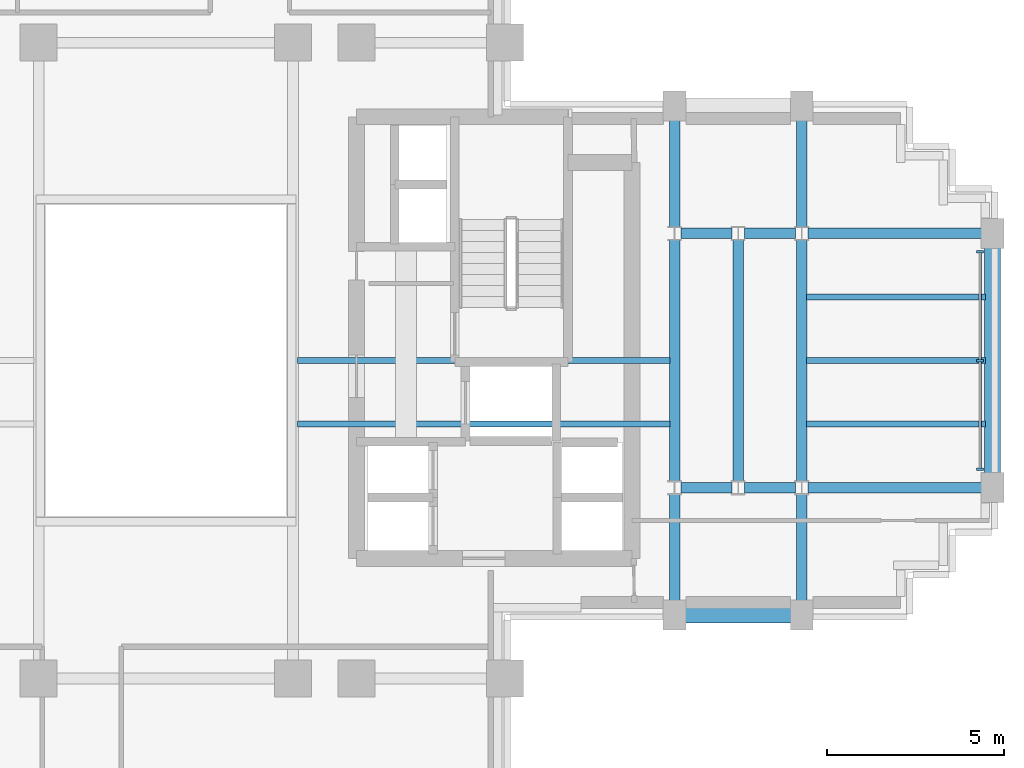
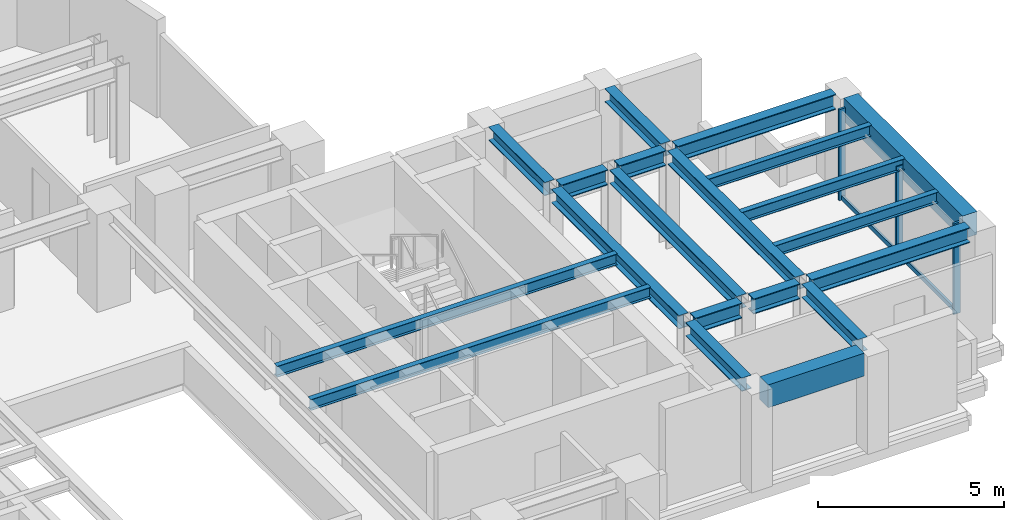
# One storey, part 5 of 13: 20 beams, 5 members, 1 element without a shape of its own.
"""IFC4 building model written with IfcOpenShell, lengths in metres."""

import ifcopenshell
import ifcopenshell.guid

model = None  # the IFC model being written
_history = None  # IfcOwnerHistory: only IFC2X3 demands one
_inside = {}  # id of a spatial element -> (the spatial element, [elements in it])
_under = {}  # id of a project, library or spatial element -> (it, [spatial elements below it])
_declared = {}  # id of a project -> (the project, [libraries it declares])
_typed = {}  # id of a type object -> (the type object, [elements of that type])
_made_of = {}  # id of a material, layer set ... -> (it, [elements and type objects made of it])


def new_model(schema):
    """Start an empty IFC model of exactly this schema.

    Asked for "IFC4X3", IfcOpenShell would pick the latest addendum, in which some entities
    have other attributes; the version numbers below select the first issue.
    IFC2X3 requires an IfcOwnerHistory on every rooted entity: one is made here for all.
    """
    global model, _history
    if schema == "IFC4X3":
        model = ifcopenshell.file(schema_version=(4, 3, 0, 0))
    else:
        model = ifcopenshell.file(schema=schema)
    _inside.clear()
    _under.clear()
    _declared.clear()
    _typed.clear()
    _made_of.clear()
    _history = None
    if model.schema == "IFC2X3":
        org = make("IfcOrganization", Name="unknown")
        user = make(
            "IfcPersonAndOrganization",
            ThePerson=make("IfcPerson", FamilyName="unknown"),
            TheOrganization=org,
        )
        app = make(
            "IfcApplication",
            ApplicationDeveloper=org,
            Version="unknown",
            ApplicationFullName="unknown",
            ApplicationIdentifier="unknown",
        )
        _history = make(
            "IfcOwnerHistory",
            OwningUser=user,
            OwningApplication=app,
            ChangeAction="ADDED",
            CreationDate=0,
        )
    return model


def make(cls, **values):
    """One entity of the class cls with the attributes given. An attribute that is None is left unset."""
    return model.create_entity(
        cls, **{name: value for name, value in values.items() if value is not None}
    )


def rooted(cls, **values):
    """An entity with a GlobalId (a new one), such as an element, a storey or a relation."""
    return make(cls, GlobalId=ifcopenshell.guid.new(), OwnerHistory=_history, **values)


def si_unit(unit_type, name, prefix=None):
    """IfcSIUnit, for example si_unit("LENGTHUNIT", "METRE", prefix="MILLI")."""
    return make("IfcSIUnit", UnitType=unit_type, Prefix=prefix, Name=name)


def assignment(units):
    """IfcUnitAssignment: the units of a project."""
    return None if units is None else make("IfcUnitAssignment", Units=units)


def point(xyz):
    """IfcCartesianPoint."""
    return None if xyz is None else make("IfcCartesianPoint", Coordinates=xyz)


def direction(xyz):
    """IfcDirection."""
    return None if xyz is None else make("IfcDirection", DirectionRatios=xyz)


def frame(location, z_axis=None, x_axis=None):
    """IfcAxis2Placement3D, a coordinate frame: its origin and axes. An axis left out is left unset."""
    return make(
        "IfcAxis2Placement3D",
        Location=point(location),
        Axis=direction(z_axis),
        RefDirection=direction(x_axis),
    )


def frame_2d(location, x_axis=None):
    """IfcAxis2Placement2D, a coordinate frame in the plane: its origin and x axis."""
    return make(
        "IfcAxis2Placement2D", Location=point(location), RefDirection=direction(x_axis)
    )


def origin():
    """The frame at (0, 0, 0) with its axes left unset."""
    return frame((0.0, 0.0, 0.0))


def origin_2d():
    """The frame at (0, 0) in the plane with its x axis left unset."""
    return frame_2d((0.0, 0.0))


def place(relative_to, where):
    """IfcLocalPlacement: puts the frame where relative to a parent placement (None: the world)."""
    return make(
        "IfcLocalPlacement", PlacementRelTo=relative_to, RelativePlacement=where
    )


def context(
    kind, dimensions, precision=None, world=None, true_north=None, identifier=None
):
    """IfcGeometricRepresentationContext, for example the 3D "Model" context."""
    return make(
        "IfcGeometricRepresentationContext",
        ContextIdentifier=identifier,
        ContextType=kind,
        CoordinateSpaceDimension=dimensions,
        Precision=precision,
        WorldCoordinateSystem=world,
        TrueNorth=true_north,
    )


def subcontext(parent, identifier, kind, view, scale=None):
    """IfcGeometricRepresentationSubContext, for example "Body" below "Model"."""
    return make(
        "IfcGeometricRepresentationSubContext",
        ContextIdentifier=identifier,
        ContextType=kind,
        ParentContext=parent,
        TargetScale=scale,
        TargetView=view,
    )


def project(units=None, contexts=None):
    """IfcProject with its units and contexts."""
    return rooted(
        "IfcProject",
        Name="project",
        RepresentationContexts=contexts,
        UnitsInContext=assignment(units),
    )


def spatial(cls, under=None, at=None, **own):
    """A site, building, storey or space (cls), placed at a placement, below another one or the project."""
    s = rooted(cls, ObjectPlacement=at, **own)
    if under is not None:
        _under.setdefault(under.id(), (under, []))[1].append(s)
    return s


def profile(cls, at=None, kind="AREA", **sizes):
    """A parametric profile (cls). Its sizes go by their IFC names, for example OverallWidth=200.0."""
    return make(cls, ProfileType=kind, Position=at, **sizes)


def rectangle(**sizes):
    """IfcRectangleProfileDef."""
    return profile("IfcRectangleProfileDef", **sizes)


def i_section(**sizes):
    """IfcIShapeProfileDef."""
    return profile("IfcIShapeProfileDef", **sizes)


def extrude(swept, where, along, depth):
    """IfcExtrudedAreaSolid: the profile swept, set in the frame where, extruded along a direction by depth."""
    return make(
        "IfcExtrudedAreaSolid",
        SweptArea=swept,
        Position=where,
        ExtrudedDirection=direction(along),
        Depth=depth,
    )


def shape(context_of_items, identifier, shape_type, items):
    """IfcShapeRepresentation: the items that make up one representation, for example the "Body"."""
    return make(
        "IfcShapeRepresentation",
        ContextOfItems=context_of_items,
        RepresentationIdentifier=identifier,
        RepresentationType=shape_type,
        Items=items,
    )


def source(mapping_origin, context_of_items, identifier, shape_type, items):
    """IfcRepresentationMap: a shape defined once, which mapped items show again and again."""
    return make(
        "IfcRepresentationMap",
        MappingOrigin=mapping_origin,
        MappedRepresentation=shape(context_of_items, identifier, shape_type, items),
    )


def transform(
    local_origin,
    x_axis=None,
    y_axis=None,
    z_axis=None,
    scale=None,
    scale2=None,
    scale3=None,
    uniform=True,
):
    """IfcCartesianTransformationOperator3D, or its non-uniform kind. x_axis, y_axis, z_axis: its Axis1, 2, 3."""
    if uniform:
        return make(
            "IfcCartesianTransformationOperator3D",
            Axis1=direction(x_axis),
            Axis2=direction(y_axis),
            LocalOrigin=point(local_origin),
            Scale=scale,
            Axis3=direction(z_axis),
        )
    return make(
        "IfcCartesianTransformationOperator3DnonUniform",
        Axis1=direction(x_axis),
        Axis2=direction(y_axis),
        LocalOrigin=point(local_origin),
        Scale=scale,
        Axis3=direction(z_axis),
        Scale2=scale2,
        Scale3=scale3,
    )


def mapped(mapping_source, mapping_target):
    """IfcMappedItem: shows the shape of a source again, moved by a transform."""
    return make(
        "IfcMappedItem", MappingSource=mapping_source, MappingTarget=mapping_target
    )


def material(Name=None, Category=None):
    """IfcMaterial."""
    return make("IfcMaterial", Name=Name, Category=Category)


def material_profile(
    of_material, cross_section, Name=None, Category=None, Priority=None
):
    """IfcMaterialProfile: a cross section and its material."""
    return make(
        "IfcMaterialProfile",
        Name=Name,
        Material=of_material,
        Profile=cross_section,
        Priority=Priority,
        Category=Category,
    )


def profile_set(profiles, Name=None, composite=None):
    """IfcMaterialProfileSet."""
    return make(
        "IfcMaterialProfileSet",
        Name=Name,
        MaterialProfiles=profiles,
        CompositeProfile=composite,
    )


def made_of(thing, what):
    """Note that an element or type object is made of a material, layer set ...; save() writes the relation."""
    if what is not None:
        _made_of.setdefault(what.id(), (what, []))[1].append(thing)
    return thing


def type_object(cls, material=None, **own):
    """A type object (cls), such as IfcWallType, which elements share."""
    return made_of(rooted(cls, **own), material)


def element(
    cls,
    number,
    at=None,
    inside=None,
    cuts=None,
    type_object=None,
    material=None,
    context=None,
    identifier="Body",
    shape_type=None,
    held_by="IfcProductDefinitionShape",
    body=None,
    shapes=None,
    **own,
):
    """One element of the class cls, such as IfcWall. Its Tag is "e" and its number.

    at: its placement. inside: the storey or other place that contains it. cuts: it is an
    opening in that element (IfcRelVoidsElement). A single representation is given by context,
    identifier, shape_type and body (its items); several are given by shapes. held_by: the class
    of the entity that holds the representations. save() writes the other relations.
    """
    e = rooted(cls, Tag="e%d" % number, ObjectPlacement=at, **own)
    if body is not None:
        shapes = [shape(context, identifier, shape_type, body)]
    if shapes is not None:
        e.Representation = make(held_by, Representations=shapes)
    if inside is not None:
        _inside.setdefault(inside.id(), (inside, []))[1].append(e)
    if cuts is not None:
        rooted(
            "IfcRelVoidsElement", RelatingBuildingElement=cuts, RelatedOpeningElement=e
        )
    if type_object is not None:
        _typed.setdefault(type_object.id(), (type_object, []))[1].append(e)
    return made_of(e, material)


def aggregate(whole, parts):
    """IfcRelAggregates: a whole, such as a stair, and the parts it consists of."""
    return rooted("IfcRelAggregates", RelatingObject=whole, RelatedObjects=parts)


def save(model, path):
    """Write the relations noted so far, then the file.

    IfcRelAggregates (storeys below a building ...), IfcRelContainedInSpatialStructure (elements
    in a storey), IfcRelDefinesByType, IfcRelAssociatesMaterial and IfcRelDeclares: one each for
    every whole, place, type object, material and project.
    """
    for whole, parts in _under.values():
        aggregate(whole, parts)
    for where, things in _inside.values():
        rooted(
            "IfcRelContainedInSpatialStructure",
            RelatedElements=things,
            RelatingStructure=where,
        )
    for kind, things in _typed.values():
        rooted("IfcRelDefinesByType", RelatedObjects=things, RelatingType=kind)
    for what, things in _made_of.values():
        rooted("IfcRelAssociatesMaterial", RelatedObjects=things, RelatingMaterial=what)
    for by, libraries in _declared.values():
        rooted("IfcRelDeclares", RelatingContext=by, RelatedDefinitions=libraries)
    model.write(path)


model = new_model("IFC4")

# Units and contexts
model_context = context("Model", 3, precision=1e-05, world=origin(), true_north=direction((0.0, 1.0)))
body_context = subcontext(model_context, "Body", "Model", "MODEL_VIEW")
ifc_project = project(units=[si_unit("LENGTHUNIT", "METRE"), si_unit("AREAUNIT", "SQUARE_METRE"), si_unit("VOLUMEUNIT", "CUBIC_METRE"), si_unit("PLANEANGLEUNIT", "RADIAN"), si_unit("MASSUNIT", "GRAM", prefix="KILO")], contexts=[model_context])

# Site, building, storey
site_placement = place(None, origin())
site = spatial("IfcSite", under=ifc_project, at=site_placement, CompositionType="ELEMENT")
building_placement = place(site_placement, origin())
building = spatial("IfcBuilding", under=site, at=building_placement, Name="Keilestroom Media Tower", CompositionType="ELEMENT")
storey_placement = place(building_placement, frame((0.0, 0.0, 97.199951171875)))
storey = spatial("IfcBuildingStorey", under=building, at=storey_placement, Name="L25", CompositionType="ELEMENT", Elevation=97.199951171875)

# Beams
ifc_material_1 = material(Name="Steel S355", Category="steel")
ifc_material_profile_1 = material_profile(ifc_material_1, i_section(OverallWidth=0.169921875, OverallDepth=0.360107421875, WebThickness=0.008056640625, FlangeThickness=0.0126953125, at=origin_2d()), Name="IPE 360")
ifc_profile_set_1 = profile_set([ifc_material_profile_1], Name="Steel S355")
beam_type_1 = type_object("IfcBeamType", Name="Secondary-Floor-Joist-IPE-360", PredefinedType="JOIST", material=ifc_profile_set_1)
shared_shape_1 = source(origin(), body_context, "Body", "SweptSolid", [
    extrude(i_section(OverallWidth=0.169921875, OverallDepth=0.360107421875, WebThickness=0.008056640625, FlangeThickness=0.0126953125, at=origin_2d()), origin(), (0.0, 0.0, 1.0), 10.5400390625),
])
for number, where, z_axis, x_axis, name in (
    (1, (3.72998046875, -1.800048828125, 3.02001953125), (1.0, 0.0, 0.0), (0.0, 1.0, 0.0), "L25 Beam BJ-5 JST-L25-074"),
    (2, (3.72998046875, 0.0, 3.02001953125), (1.0, 0.0, 0.0), (0.0, 1.0, 0.0), "L25 Beam BJ-5 JST-L25-079"),
):
    element("IfcBeam", number, at=place(storey_placement, frame(where, z_axis=z_axis, x_axis=x_axis)), inside=storey, type_object=beam_type_1, Name=name, PredefinedType="JOIST", context=body_context, shape_type="MappedRepresentation", body=[
        mapped(shared_shape_1, transform((0.0, 0.0, 0.0), x_axis=(1.0, 0.0, 0.0), y_axis=(0.0, 1.0, 0.0), z_axis=(0.0, 0.0, 1.0), scale=1.0)),
    ])
ifc_material_2 = material(Name="Precast concrete C40/50", Category="concrete")
ifc_material_profile_2 = material_profile(ifc_material_2, rectangle(XDim=0.449951171875, YDim=0.75, at=origin_2d()), Name="PC 450x750")
ifc_profile_set_2 = profile_set([ifc_material_profile_2], Name="Precast concrete C40/50")
beam_type_2 = type_object("IfcBeamType", Name="Perimeter-Spandrel-Beam-PC-450x750", PredefinedType="SPANDREL", material=ifc_profile_set_2)
shared_shape_2 = source(origin(), body_context, "Body", "SweptSolid", [
    extrude(rectangle(XDim=0.449951171875, YDim=0.75, at=origin_2d()), origin(), (0.0, 0.0, 1.0), 2.989990234375),
])
beam_1_placement = place(storey_placement, frame((14.705078125, -7.199951171875, 2.824951171875), z_axis=(1.0, 0.0, 0.0), x_axis=(0.0, 1.0, 0.0)))
element("IfcBeam", 3, at=beam_1_placement, inside=storey, type_object=beam_type_2, Name="L25 Beam SPB-1 BM-L25-EW-013", PredefinedType="SPANDREL", context=body_context, shape_type="MappedRepresentation", body=[
    mapped(shared_shape_2, transform((0.0, 0.0, 0.0), x_axis=(1.0, 0.0, 0.0), y_axis=(0.0, 1.0, 0.0), z_axis=(0.0, 0.0, 1.0), scale=1.0)),
])
ifc_material_profile_3 = material_profile(ifc_material_1, i_section(OverallWidth=0.300048828125, OverallDepth=0.5, WebThickness=0.012451171875, FlangeThickness=0.028076171875, at=origin_2d()), Name="HEB 500")
ifc_profile_set_3 = profile_set([ifc_material_profile_3], Name="Steel S355")
beam_type_3 = type_object("IfcBeamType", Name="Primary-Structural-Girder-HEB-500", PredefinedType="BEAM", material=ifc_profile_set_3)
shared_shape_3 = source(origin(), body_context, "Body", "SweptSolid", [
    extrude(i_section(OverallWidth=0.300048828125, OverallDepth=0.5, WebThickness=0.012451171875, FlangeThickness=0.028076171875, at=origin_2d()), origin(), (0.0, 0.0, 1.0), 4.91455078125),
])
for number, where, z_axis, x_axis, name in (
    (4, (18.180419921875, -3.60009765625, 2.949951171875), (1.0, 0.0, 0.0), (0.0, 1.0, 0.0), "L25 Beam BG-6 BM-L25-EW-019"),
    (5, (18.180419921875, 3.60009765625, 2.949951171875), (1.0, 0.0, 0.0), (0.0, 1.0, 0.0), "L25 Beam BG-6 BM-L25-EW-025"),
):
    element("IfcBeam", number, at=place(storey_placement, frame(where, z_axis=z_axis, x_axis=x_axis)), inside=storey, type_object=beam_type_3, Name=name, PredefinedType="BEAM", context=body_context, shape_type="MappedRepresentation", body=[
        mapped(shared_shape_3, transform((0.0, 0.0, 0.0), x_axis=(1.0, 0.0, 0.0), y_axis=(0.0, 1.0, 0.0), z_axis=(0.0, 0.0, 1.0), scale=1.0)),
    ])
shared_shape_4 = source(origin(), body_context, "Body", "SweptSolid", [
    extrude(i_section(OverallWidth=0.300048828125, OverallDepth=0.5, WebThickness=0.012451171875, FlangeThickness=0.028076171875, at=origin_2d()), origin(), (0.0, 0.0, 1.0), 1.43896484375),
])
for number, where, z_axis, x_axis, name in (
    (6, (14.58056640625, -3.60009765625, 2.949951171875), (1.0, 0.0, 0.0), (0.0, 1.0, 0.0), "L25 Beam BG-6 BM-L25-EW-017"),
    (7, (16.380615234375, -3.60009765625, 2.949951171875), (1.0, 0.0, 0.0), (0.0, 1.0, 0.0), "L25 Beam BG-6 BM-L25-EW-018"),
    (8, (14.58056640625, 3.60009765625, 2.949951171875), (1.0, 0.0, 0.0), (0.0, 1.0, 0.0), "L25 Beam BG-6 BM-L25-EW-023"),
    (9, (16.380615234375, 3.60009765625, 2.949951171875), (1.0, 0.0, 0.0), (0.0, 1.0, 0.0), "L25 Beam BG-6 BM-L25-EW-024"),
):
    element("IfcBeam", number, at=place(storey_placement, frame(where, z_axis=z_axis, x_axis=x_axis)), inside=storey, type_object=beam_type_3, Name=name, PredefinedType="BEAM", context=body_context, shape_type="MappedRepresentation", body=[
        mapped(shared_shape_4, transform((0.0, 0.0, 0.0), x_axis=(1.0, 0.0, 0.0), y_axis=(0.0, 1.0, 0.0), z_axis=(0.0, 0.0, 1.0), scale=1.0)),
    ])
shared_shape_5 = source(origin(), body_context, "Body", "SweptSolid", [
    extrude(rectangle(XDim=0.449951171875, YDim=0.75, at=origin_2d()), origin(), (0.0, 0.0, 1.0), 6.39013671875),
])
beam_2_placement = place(storey_placement, frame((23.39990234375, -3.195068359375, 2.824951171875), z_axis=(0.0, 1.0, 0.0), x_axis=(-1.0, 0.0, 0.0)))
element("IfcBeam", 10, at=beam_2_placement, inside=storey, type_object=beam_type_2, Name="L25 Beam SPB-1 BM-L25-NS-068", PredefinedType="SPANDREL", context=body_context, shape_type="MappedRepresentation", body=[
    mapped(shared_shape_5, transform((0.0, 0.0, 0.0), x_axis=(1.0, 0.0, 0.0), y_axis=(0.0, 1.0, 0.0), z_axis=(0.0, 0.0, 1.0), scale=1.0)),
])
shared_shape_6 = source(origin(), body_context, "Body", "SweptSolid", [
    extrude(i_section(OverallWidth=0.169921875, OverallDepth=0.360107421875, WebThickness=0.008056640625, FlangeThickness=0.0126953125, at=origin_2d()), origin(), (0.0, 0.0, 1.0), 5.065185546875),
])
for number, where, z_axis, x_axis, name in (
    (11, (18.1298828125, -1.800048828125, 3.02001953125), (1.0, 0.0, 0.0), (0.0, 1.0, 0.0), "L25 Beam BJ-5 JST-L25-075"),
    (12, (18.1298828125, 0.0, 3.02001953125), (1.0, 0.0, 0.0), (0.0, 1.0, 0.0), "L25 Beam BJ-5 JST-L25-080"),
    (13, (18.1298828125, 1.800048828125, 3.02001953125), (1.0, 0.0, 0.0), (0.0, 1.0, 0.0), "L25 Beam BJ-5 JST-L25-085"),
):
    element("IfcBeam", number, at=place(storey_placement, frame(where, z_axis=z_axis, x_axis=x_axis)), inside=storey, type_object=beam_type_1, Name=name, PredefinedType="JOIST", context=body_context, shape_type="MappedRepresentation", body=[
        mapped(shared_shape_6, transform((0.0, 0.0, 0.0), x_axis=(1.0, 0.0, 0.0), y_axis=(0.0, 1.0, 0.0), z_axis=(0.0, 0.0, 1.0), scale=1.0)),
    ])
ifc_material_profile_4 = material_profile(ifc_material_1, i_section(OverallWidth=0.300048828125, OverallDepth=0.43994140625, WebThickness=0.011474609375, FlangeThickness=0.02099609375, at=origin_2d()), Name="HEA 450")
ifc_profile_set_4 = profile_set([ifc_material_profile_4], Name="Steel S355")
beam_type_4 = type_object("IfcBeamType", Name="Primary-Structural-Girder-HEA-450", PredefinedType="BEAM", material=ifc_profile_set_4)
shared_shape_7 = source(origin(), body_context, "Body", "SweptSolid", [
    extrude(i_section(OverallWidth=0.300048828125, OverallDepth=0.43994140625, WebThickness=0.011474609375, FlangeThickness=0.02099609375, at=origin_2d()), origin(), (0.0, 0.0, 1.0), 3.015380859375),
])
for number, where, z_axis, x_axis, name in (
    (14, (14.39990234375, -6.794921875, 2.97998046875), (0.0, 1.0, 0.0), (-1.0, 0.0, 0.0), "L25 Beam BG-11 BM-L25-NS-061"),
    (15, (14.39990234375, 3.779541015625, 2.97998046875), (0.0, 1.0, 0.0), (-1.0, 0.0, 0.0), "L25 Beam BG-11 BM-L25-NS-063"),
    (16, (18.0, -6.794921875, 2.97998046875), (0.0, 1.0, 0.0), (-1.0, 0.0, 0.0), "L25 Beam BG-11 BM-L25-NS-065"),
    (17, (18.0, 3.779541015625, 2.97998046875), (0.0, 1.0, 0.0), (-1.0, 0.0, 0.0), "L25 Beam BG-11 BM-L25-NS-067"),
):
    element("IfcBeam", number, at=place(storey_placement, frame(where, z_axis=z_axis, x_axis=x_axis)), inside=storey, type_object=beam_type_4, Name=name, PredefinedType="BEAM", context=body_context, shape_type="MappedRepresentation", body=[
        mapped(shared_shape_7, transform((0.0, 0.0, 0.0), x_axis=(1.0, 0.0, 0.0), y_axis=(0.0, 1.0, 0.0), z_axis=(0.0, 0.0, 1.0), scale=1.0)),
    ])
shared_shape_8 = source(origin(), body_context, "Body", "SweptSolid", [
    extrude(i_section(OverallWidth=0.300048828125, OverallDepth=0.43994140625, WebThickness=0.011474609375, FlangeThickness=0.02099609375, at=origin_2d()), origin(), (0.0, 0.0, 1.0), 6.8408203125),
])
for number, where, z_axis, x_axis, name in (
    (18, (14.39990234375, -3.42041015625, 2.97998046875), (0.0, 1.0, 0.0), (-1.0, 0.0, 0.0), "L25 Beam BG-11 BM-L25-NS-062"),
    (19, (16.199951171875, -3.42041015625, 2.97998046875), (0.0, 1.0, 0.0), (-1.0, 0.0, 0.0), "L25 Beam BG-11 BM-L25-NS-064"),
    (20, (18.0, -3.42041015625, 2.97998046875), (0.0, 1.0, 0.0), (-1.0, 0.0, 0.0), "L25 Beam BG-11 BM-L25-NS-066"),
):
    element("IfcBeam", number, at=place(storey_placement, frame(where, z_axis=z_axis, x_axis=x_axis)), inside=storey, type_object=beam_type_4, Name=name, PredefinedType="BEAM", context=body_context, shape_type="MappedRepresentation", body=[
        mapped(shared_shape_8, transform((0.0, 0.0, 0.0), x_axis=(1.0, 0.0, 0.0), y_axis=(0.0, 1.0, 0.0), z_axis=(0.0, 0.0, 1.0), scale=1.0)),
    ])

# Curtain wall, members
ifc_material_3 = material(Name="Anodised Aluminium Alloy", Category="aluminium")
curtain_wall_type = type_object("IfcCurtainWallType", Name="Unitised-Curtain-Wall-CW-2", PredefinedType="NOTDEFINED", material=ifc_material_3)
curtain_wall_placement = place(storey_placement, origin())
curtain_wall = element("IfcCurtainWall", 21, at=curtain_wall_placement, inside=storey, type_object=curtain_wall_type, Name="L25 Curtain Wall CW-2 CW-L25-E-1", PredefinedType="NOTDEFINED")
ifc_material_profile_5 = material_profile(ifc_material_3, rectangle(XDim=0.070068359375, YDim=0.199951171875, at=origin_2d()), Name="ALU MULLION 70x200")
ifc_profile_set_5 = profile_set([ifc_material_profile_5], Name="Anodised Aluminium Alloy")
member_type_1 = type_object("IfcMemberType", Name="Curtain-Wall-Mullion-CW-2", PredefinedType="MULLION", material=ifc_profile_set_5)
shared_shape_9 = source(origin(), body_context, "Body", "SweptSolid", [
    extrude(rectangle(XDim=0.070068359375, YDim=0.199951171875, at=origin_2d()), origin(), (0.0, 0.0, 1.0), 2.97998046875),
])
member_1_placement = place(storey_placement, frame((23.050048828125, -3.080078125, 0.0), z_axis=(0.0, 0.0, 1.0), x_axis=(0.0, 1.0, 0.0)))
member_1 = element("IfcMember", 22, at=member_1_placement, type_object=member_type_1, Name="CW-2 Mullion 00", PredefinedType="MULLION", context=body_context, shape_type="MappedRepresentation", body=[
    mapped(shared_shape_9, transform((0.0, 0.0, 0.0), x_axis=(1.0, 0.0, 0.0), y_axis=(0.0, 1.0, 0.0), z_axis=(0.0, 0.0, 1.0), scale=1.0)),
])
member_2_placement = place(storey_placement, frame((23.050048828125, 0.0, 0.0), z_axis=(0.0, 0.0, 1.0), x_axis=(0.0, 1.0, 0.0)))
member_2 = element("IfcMember", 23, at=member_2_placement, type_object=member_type_1, Name="CW-2 Mullion 01", PredefinedType="MULLION", context=body_context, shape_type="MappedRepresentation", body=[
    mapped(shared_shape_9, transform((0.0, 0.0, 0.0), x_axis=(1.0, 0.0, 0.0), y_axis=(0.0, 1.0, 0.0), z_axis=(0.0, 0.0, 1.0), scale=1.0)),
])
member_3_placement = place(storey_placement, frame((23.050048828125, 3.080078125, 0.0), z_axis=(0.0, 0.0, 1.0), x_axis=(0.0, 1.0, 0.0)))
member_3 = element("IfcMember", 24, at=member_3_placement, type_object=member_type_1, Name="CW-2 Mullion 02", PredefinedType="MULLION", context=body_context, shape_type="MappedRepresentation", body=[
    mapped(shared_shape_9, transform((0.0, 0.0, 0.0), x_axis=(1.0, 0.0, 0.0), y_axis=(0.0, 1.0, 0.0), z_axis=(0.0, 0.0, 1.0), scale=1.0)),
])
ifc_material_profile_6 = material_profile(ifc_material_3, rectangle(XDim=0.06494140625, YDim=0.14990234375, at=origin_2d()), Name="ALU TRANSOM 65x150")
ifc_profile_set_6 = profile_set([ifc_material_profile_6], Name="Anodised Aluminium Alloy")
member_type_2 = type_object("IfcMemberType", Name="Curtain-Wall-Transom-CW-2", PredefinedType="USERDEFINED", material=ifc_profile_set_6)
shared_shape_10 = source(origin(), body_context, "Body", "SweptSolid", [
    extrude(rectangle(XDim=0.06494140625, YDim=0.14990234375, at=origin_2d()), origin(), (0.0, 0.0, 1.0), 3.01416015625),
])
member_4_placement = place(storey_placement, frame((23.050048828125, -3.047119140625, 0.074951171875), z_axis=(0.0, 1.0, 0.0), x_axis=(-1.0, 0.0, 0.0)))
member_4 = element("IfcMember", 25, at=member_4_placement, type_object=member_type_2, Name="CW-2 Transom 00.1", ObjectType="TRANSOM", PredefinedType="USERDEFINED", context=body_context, shape_type="MappedRepresentation", body=[
    mapped(shared_shape_10, transform((0.0, 0.0, 0.0), x_axis=(1.0, 0.0, 0.0), y_axis=(0.0, 1.0, 0.0), z_axis=(0.0, 0.0, 1.0), scale=1.0)),
])
member_5_placement = place(storey_placement, frame((23.050048828125, 0.032958984375, 0.074951171875), z_axis=(0.0, 1.0, 0.0), x_axis=(-1.0, 0.0, 0.0)))
member_5 = element("IfcMember", 26, at=member_5_placement, type_object=member_type_2, Name="CW-2 Transom 01.1", ObjectType="TRANSOM", PredefinedType="USERDEFINED", context=body_context, shape_type="MappedRepresentation", body=[
    mapped(shared_shape_10, transform((0.0, 0.0, 0.0), x_axis=(1.0, 0.0, 0.0), y_axis=(0.0, 1.0, 0.0), z_axis=(0.0, 0.0, 1.0), scale=1.0)),
])
aggregate(curtain_wall, [member_1, member_2, member_3, member_4, member_5])

save(model, "model.ifc")
